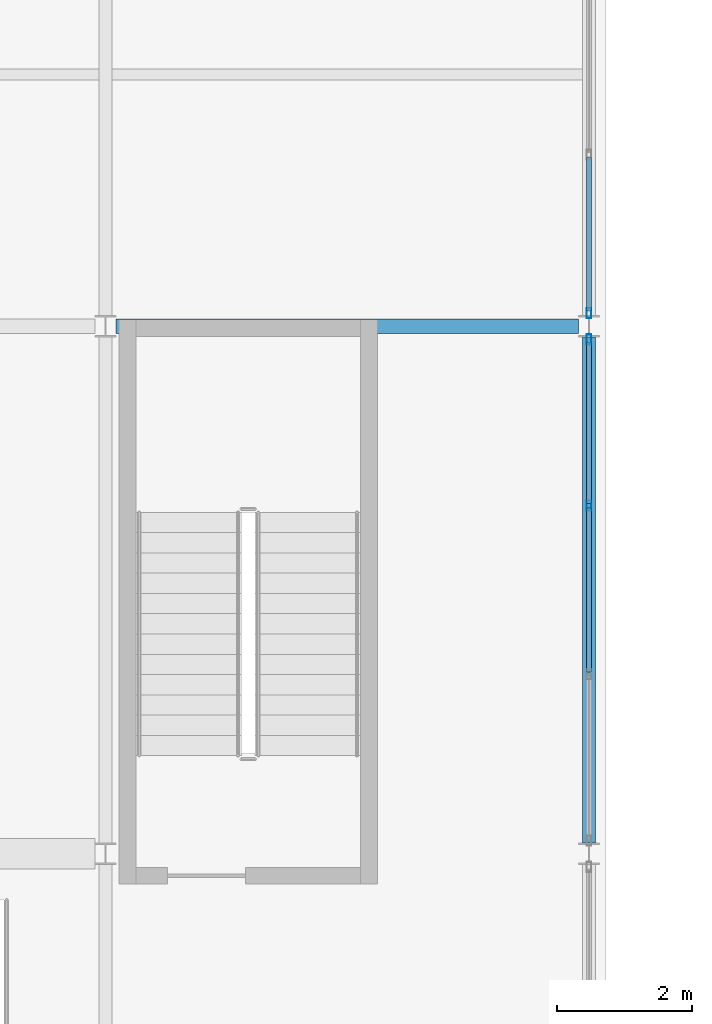
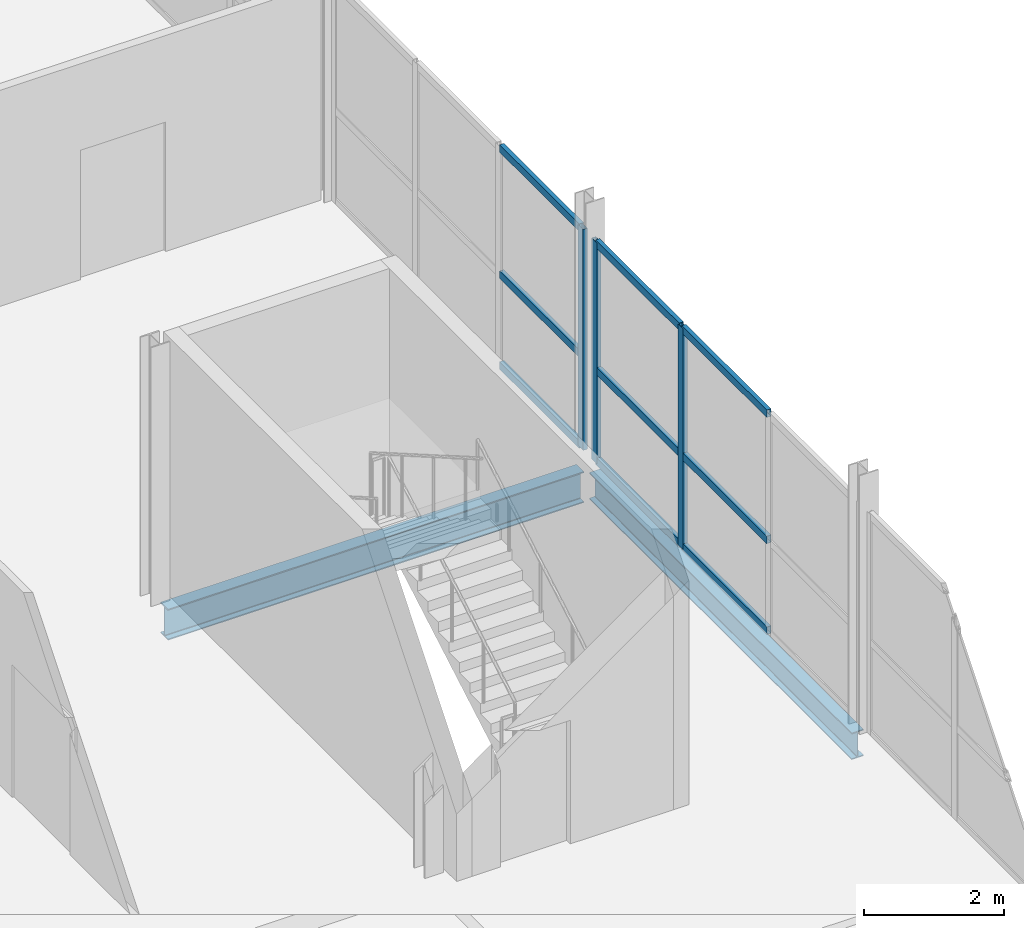
# One storey, part 18 of 77: 12 members, 2 beams, 2 elements without a shape of their own.
"""IFC4 building model written with IfcOpenShell, lengths in metres."""

from ifc_helpers import new_model, si_unit, direction, frame, origin, origin_2d, place, context, subcontext, project, spatial, hollow_rectangle, i_section, extrude, material, layer, layer_set, material_profile, profile_set, type_object, element, aggregate, save


model = new_model("IFC4")

# Units and contexts
model_context = context("Model", 3, precision=1e-05, world=origin(), true_north=direction((0.0, 1.0)))
body_context = subcontext(model_context, "Body", "Model", "MODEL_VIEW")
ifc_project = project(units=[si_unit("LENGTHUNIT", "METRE"), si_unit("AREAUNIT", "SQUARE_METRE"), si_unit("VOLUMEUNIT", "CUBIC_METRE"), si_unit("PLANEANGLEUNIT", "RADIAN"), si_unit("MASSUNIT", "GRAM", prefix="KILO")], contexts=[model_context])

# Site, building, storey
site_placement = place(None, origin())
site = spatial("IfcSite", under=ifc_project, at=site_placement, CompositionType="ELEMENT")
building_placement = place(site_placement, origin())
building = spatial("IfcBuilding", under=site, at=building_placement, Name="Quillay Park Conservatory", CompositionType="ELEMENT")
storey_placement = place(building_placement, frame((0.0, 0.0, 5.39990234375)))
storey = spatial("IfcBuildingStorey", under=building, at=storey_placement, Name="L01", CompositionType="ELEMENT", Elevation=5.39990234375)

# Curtain wall, members
ifc_material_1 = material(Name="Thermally Broken Anodised Aluminium 6063-T6", Category="aluminium")
ifc_layer = layer(ifc_material_1, 0.1650390625)
ifc_layer_set = layer_set([ifc_layer], Name="UNITISED CURTAIN WALL PODIUM (Thermally Broken Anodised Aluminium 6063-T6)")
curtain_wall_type = type_object("IfcCurtainWallType", Name="UNITISED CURTAIN WALL PODIUM", PredefinedType="USERDEFINED", material=ifc_layer_set)
curtain_wall_1_placement = place(storey_placement, origin())
curtain_wall_1 = element("IfcCurtainWall", 1, at=curtain_wall_1_placement, inside=storey, type_object=curtain_wall_type, Name="L01 Unitised Curtain Wall 203", ObjectType="UNITISED CURTAIN WALL", PredefinedType="USERDEFINED")
ifc_material_2 = material(Name="Thermally Broken Anodised Aluminium 6063-T6", Category="aluminium")
ifc_material_profile_1 = material_profile(ifc_material_2, hollow_rectangle(XDim=0.070068359375, YDim=0.14990234375, WallThickness=0.00341796875, at=origin_2d()), Name="AL70x150x3.5")
ifc_profile_set_1 = profile_set([ifc_material_profile_1], Name="Thermally Broken Anodised Aluminium 6063-T6")
member_type_1 = type_object("IfcMemberType", Name="CURTAIN WALL MULLION 70 X150", PredefinedType="MULLION", material=ifc_profile_set_1)
member_1_placement = place(storey_placement, frame((22.14990234375, 46.60498046875, 0.0), z_axis=(0.0, 0.0, 1.0), x_axis=(1.0, 0.0, 0.0)))
member_1 = element("IfcMember", 2, at=member_1_placement, type_object=member_type_1, Name="CW-P1 mullion 1", PredefinedType="MULLION", context=body_context, shape_type="SweptSolid", body=[
    extrude(hollow_rectangle(XDim=0.070068359375, YDim=0.14990234375, WallThickness=0.00341796875, at=origin_2d()), origin(), (0.0, 0.0, 1.0), 3.843994140625),
])
member_2_placement = place(storey_placement, frame((22.14990234375, 44.146728515625, 0.0), z_axis=(0.0, 0.0, 1.0), x_axis=(1.0, 0.0, 0.0)))
member_2 = element("IfcMember", 3, at=member_2_placement, type_object=member_type_1, Name="CW-P1 mullion 2", PredefinedType="MULLION", context=body_context, shape_type="SweptSolid", body=[
    extrude(hollow_rectangle(XDim=0.070068359375, YDim=0.14990234375, WallThickness=0.00341796875, at=origin_2d()), origin(), (0.0, 0.0, 1.0), 3.843994140625),
])

# Curtain wall, member
curtain_wall_2_placement = place(storey_placement, origin())
curtain_wall_2 = element("IfcCurtainWall", 4, at=curtain_wall_2_placement, inside=storey, type_object=curtain_wall_type, Name="L01 Unitised Curtain Wall 204", ObjectType="UNITISED CURTAIN WALL", PredefinedType="USERDEFINED")
member_3_placement = place(storey_placement, frame((22.14990234375, 46.9951171875, 0.0), z_axis=(0.0, 0.0, 1.0), x_axis=(1.0, 0.0, 0.0)))
member_3 = element("IfcMember", 5, at=member_3_placement, type_object=member_type_1, Name="CW-P1 mullion 4", PredefinedType="MULLION", context=body_context, shape_type="SweptSolid", body=[
    extrude(hollow_rectangle(XDim=0.070068359375, YDim=0.14990234375, WallThickness=0.00341796875, at=origin_2d()), origin(), (0.0, 0.0, 1.0), 3.843994140625),
])

# Member
ifc_material_3 = material(Name="Thermally Broken Anodised Aluminium 6063-T6", Category="aluminium")
ifc_material_profile_2 = material_profile(ifc_material_3, hollow_rectangle(XDim=0.070068359375, YDim=0.1298828125, WallThickness=0.003173828125, at=origin_2d()), Name="AL70x130x3.2")
ifc_profile_set_2 = profile_set([ifc_material_profile_2], Name="Thermally Broken Anodised Aluminium 6063-T6")
member_type_2 = type_object("IfcMemberType", Name="CURTAIN WALL TRANSOM 70 X130", PredefinedType="USERDEFINED", material=ifc_profile_set_2)
member_4_placement = place(storey_placement, frame((22.14990234375, 46.570068359375, 0.03515625), z_axis=(0.0, -1.0, 0.0), x_axis=(1.0, 0.0, 0.0)))
member_4 = element("IfcMember", 6, at=member_4_placement, type_object=member_type_2, Name="CW-P1 transom 1.1", ObjectType="TRANSOM", PredefinedType="USERDEFINED", context=body_context, shape_type="SweptSolid", body=[
    extrude(hollow_rectangle(XDim=0.070068359375, YDim=0.1298828125, WallThickness=0.003173828125, at=origin_2d()), origin(), (0.0, 0.0, 1.0), 2.388427734375),
])

member_5_placement = place(storey_placement, frame((22.14990234375, 46.570068359375, 1.614501953125), z_axis=(0.0, -1.0, 0.0), x_axis=(1.0, 0.0, 0.0)))
member_5 = element("IfcMember", 7, at=member_5_placement, type_object=member_type_2, Name="CW-P1 transom 1.2", ObjectType="TRANSOM", PredefinedType="USERDEFINED", context=body_context, shape_type="SweptSolid", body=[
    extrude(hollow_rectangle(XDim=0.070068359375, YDim=0.1298828125, WallThickness=0.003173828125, at=origin_2d()), origin(), (0.0, 0.0, 1.0), 2.388427734375),
])

member_6_placement = place(storey_placement, frame((22.14990234375, 46.570068359375, 3.80908203125), z_axis=(0.0, -1.0, 0.0), x_axis=(1.0, 0.0, 0.0)))
member_6 = element("IfcMember", 8, at=member_6_placement, type_object=member_type_2, Name="CW-P1 transom 1.3", ObjectType="TRANSOM", PredefinedType="USERDEFINED", context=body_context, shape_type="SweptSolid", body=[
    extrude(hollow_rectangle(XDim=0.070068359375, YDim=0.1298828125, WallThickness=0.003173828125, at=origin_2d()), origin(), (0.0, 0.0, 1.0), 2.388427734375),
])

member_7_placement = place(storey_placement, frame((22.14990234375, 44.111572265625, 0.03515625), z_axis=(0.0, -1.0, 0.0), x_axis=(1.0, 0.0, 0.0)))
member_7 = element("IfcMember", 9, at=member_7_placement, type_object=member_type_2, Name="CW-P1 transom 2.1", ObjectType="TRANSOM", PredefinedType="USERDEFINED", context=body_context, shape_type="SweptSolid", body=[
    extrude(hollow_rectangle(XDim=0.070068359375, YDim=0.1298828125, WallThickness=0.003173828125, at=origin_2d()), origin(), (0.0, 0.0, 1.0), 2.42333984375),
])

member_8_placement = place(storey_placement, frame((22.14990234375, 44.111572265625, 1.614501953125), z_axis=(0.0, -1.0, 0.0), x_axis=(1.0, 0.0, 0.0)))
member_8 = element("IfcMember", 10, at=member_8_placement, type_object=member_type_2, Name="CW-P1 transom 2.2", ObjectType="TRANSOM", PredefinedType="USERDEFINED", context=body_context, shape_type="SweptSolid", body=[
    extrude(hollow_rectangle(XDim=0.070068359375, YDim=0.1298828125, WallThickness=0.003173828125, at=origin_2d()), origin(), (0.0, 0.0, 1.0), 2.42333984375),
])

member_9_placement = place(storey_placement, frame((22.14990234375, 44.111572265625, 3.80908203125), z_axis=(0.0, -1.0, 0.0), x_axis=(1.0, 0.0, 0.0)))
member_9 = element("IfcMember", 11, at=member_9_placement, type_object=member_type_2, Name="CW-P1 transom 2.3", ObjectType="TRANSOM", PredefinedType="USERDEFINED", context=body_context, shape_type="SweptSolid", body=[
    extrude(hollow_rectangle(XDim=0.070068359375, YDim=0.1298828125, WallThickness=0.003173828125, at=origin_2d()), origin(), (0.0, 0.0, 1.0), 2.42333984375),
])

aggregate(curtain_wall_1, [member_1, member_2, member_4, member_5, member_6, member_7, member_8, member_9])

member_10_placement = place(storey_placement, frame((22.14990234375, 49.3017578125, 0.03515625), z_axis=(0.0, -1.0, 0.0), x_axis=(1.0, 0.0, 0.0)))
member_10 = element("IfcMember", 12, at=member_10_placement, type_object=member_type_2, Name="CW-P1 transom 3.1", ObjectType="TRANSOM", PredefinedType="USERDEFINED", context=body_context, shape_type="SweptSolid", body=[
    extrude(hollow_rectangle(XDim=0.070068359375, YDim=0.1298828125, WallThickness=0.003173828125, at=origin_2d()), origin(), (0.0, 0.0, 1.0), 2.271728515625),
])

member_11_placement = place(storey_placement, frame((22.14990234375, 49.3017578125, 1.614501953125), z_axis=(0.0, -1.0, 0.0), x_axis=(1.0, 0.0, 0.0)))
member_11 = element("IfcMember", 13, at=member_11_placement, type_object=member_type_2, Name="CW-P1 transom 3.2", ObjectType="TRANSOM", PredefinedType="USERDEFINED", context=body_context, shape_type="SweptSolid", body=[
    extrude(hollow_rectangle(XDim=0.070068359375, YDim=0.1298828125, WallThickness=0.003173828125, at=origin_2d()), origin(), (0.0, 0.0, 1.0), 2.271728515625),
])

member_12_placement = place(storey_placement, frame((22.14990234375, 49.3017578125, 3.80908203125), z_axis=(0.0, -1.0, 0.0), x_axis=(1.0, 0.0, 0.0)))
member_12 = element("IfcMember", 14, at=member_12_placement, type_object=member_type_2, Name="CW-P1 transom 3.3", ObjectType="TRANSOM", PredefinedType="USERDEFINED", context=body_context, shape_type="SweptSolid", body=[
    extrude(hollow_rectangle(XDim=0.070068359375, YDim=0.1298828125, WallThickness=0.003173828125, at=origin_2d()), origin(), (0.0, 0.0, 1.0), 2.271728515625),
])

aggregate(curtain_wall_2, [member_3, member_10, member_11, member_12])

# Beams
ifc_material_4 = material(Name="Steel ASTM A992 Grade 50", Category="steel")
ifc_material_profile_3 = material_profile(ifc_material_4, i_section(OverallWidth=0.19189453125, OverallDepth=0.462890625, WebThickness=0.010498046875, FlangeThickness=0.017578125, FilletRadius=0.012939453125, at=origin_2d()), Name="W460x89")
ifc_profile_set_3 = profile_set([ifc_material_profile_3], Name="Steel ASTM A992 Grade 50")
beam_type_1 = type_object("IfcBeamType", Name="PRIMARY FLOOR GIRDER W460 X89", PredefinedType="BEAM", material=ifc_profile_set_3)
beam_1_placement = place(storey_placement, frame((22.14990234375, 39.16162109375, -0.42138671875), z_axis=(0.0, 1.0, 0.0), x_axis=(-1.0, 0.0, 0.0)))
element("IfcBeam", 15, at=beam_1_placement, inside=storey, type_object=beam_type_1, Name="L01 beam BM-V3Y-1308", PredefinedType="BEAM", context=body_context, shape_type="SweptSolid", body=[
    extrude(i_section(OverallWidth=0.19189453125, OverallDepth=0.462890625, WebThickness=0.010498046875, FlangeThickness=0.017578125, FilletRadius=0.012939453125, at=origin_2d()), origin(), (0.0, 0.0, 1.0), 7.476806640625),
])
ifc_material_5 = material(Name="Steel ASTM A992 Grade 50", Category="steel")
ifc_material_profile_4 = material_profile(ifc_material_5, i_section(OverallWidth=0.2109375, OverallDepth=0.5390625, WebThickness=0.01171875, FlangeThickness=0.018798828125, FilletRadius=0.013916015625, at=origin_2d()), Name="W530x109")
ifc_profile_set_4 = profile_set([ifc_material_profile_4], Name="Steel ASTM A992 Grade 50")
beam_type_2 = type_object("IfcBeamType", Name="PRIMARY FLOOR GIRDER W530 X109", PredefinedType="BEAM", material=ifc_profile_set_4)
beam_2_placement = place(storey_placement, frame((15.154541015625, 46.800048828125, -0.45947265625), z_axis=(1.0, 0.0, 0.0), x_axis=(0.0, 1.0, 0.0)))
element("IfcBeam", 16, at=beam_2_placement, inside=storey, type_object=beam_type_2, Name="L01 beam BM-V3X-1279", PredefinedType="BEAM", context=body_context, shape_type="SweptSolid", body=[
    extrude(i_section(OverallWidth=0.2109375, OverallDepth=0.5390625, WebThickness=0.01171875, FlangeThickness=0.018798828125, FilletRadius=0.013916015625, at=origin_2d()), origin(), (0.0, 0.0, 1.0), 6.841064453125),
])

save(model, "model.ifc")
